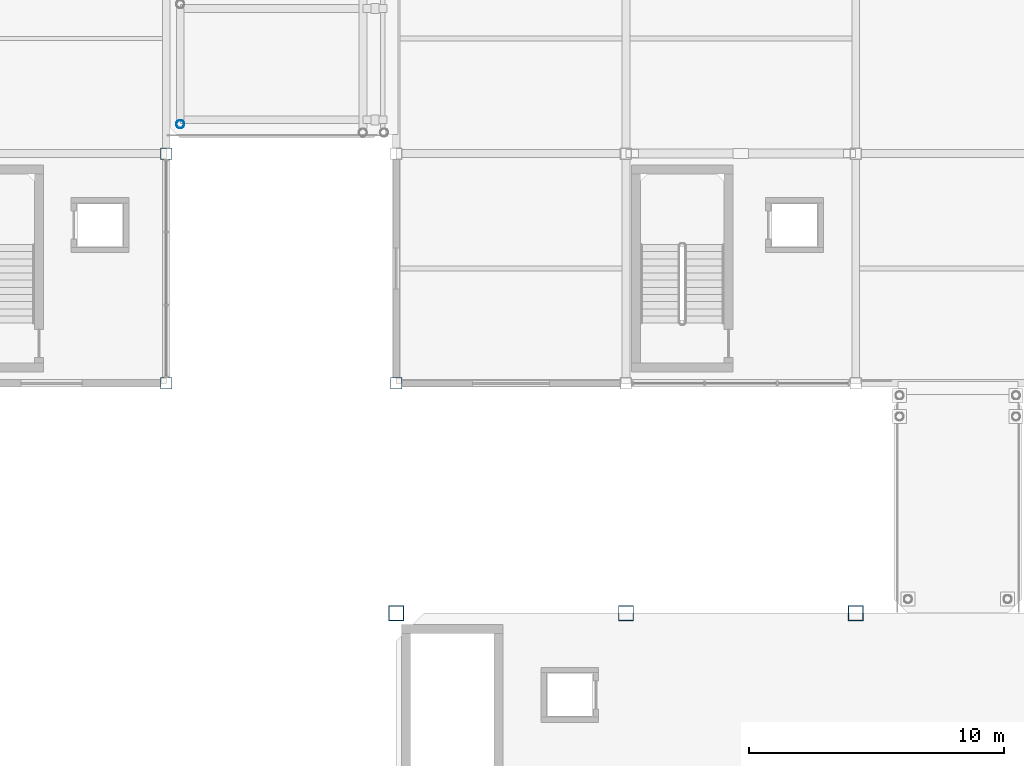
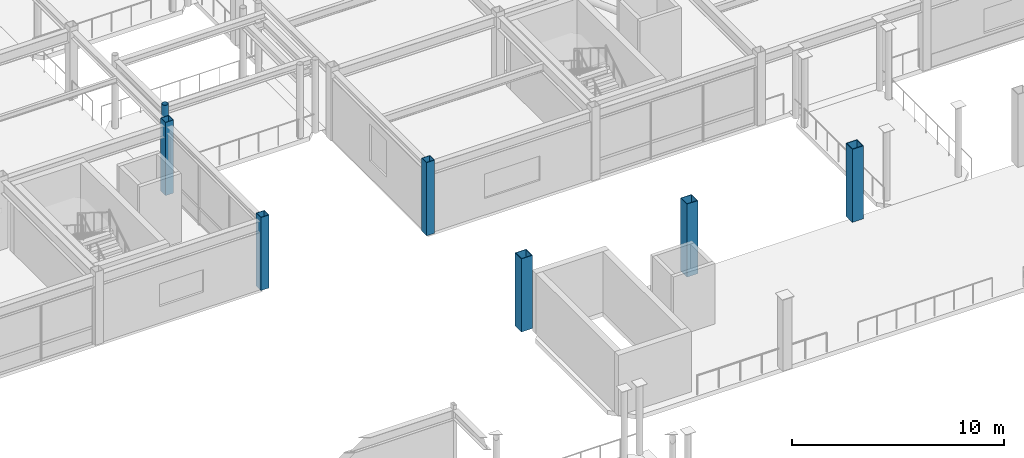
# One storey, part 8 of 105: 7 columns.
"""IFC4 building model written with IfcOpenShell, lengths in metres."""

from ifc_helpers import new_model, si_unit, direction, frame, origin, origin_2d, place, context, subcontext, project, spatial, hollow_rectangle, hollow_circle, extrude, material, material_profile, profile_set, type_object, element, save


model = new_model("IFC4")

# Units and contexts
model_context = context("Model", 3, precision=1e-05, world=origin(), true_north=direction((0.0, 1.0)))
body_context = subcontext(model_context, "Body", "Model", "MODEL_VIEW")
ifc_project = project(units=[si_unit("LENGTHUNIT", "METRE"), si_unit("AREAUNIT", "SQUARE_METRE"), si_unit("VOLUMEUNIT", "CUBIC_METRE"), si_unit("PLANEANGLEUNIT", "RADIAN"), si_unit("MASSUNIT", "GRAM", prefix="KILO")], contexts=[model_context])

# Site, building, storey
site_placement = place(None, origin())
site = spatial("IfcSite", under=ifc_project, at=site_placement, CompositionType="ELEMENT")
building_placement = place(site_placement, origin())
building = spatial("IfcBuilding", under=site, at=building_placement, Name="Suzunagisa Mobility Hub", CompositionType="ELEMENT")
storey_placement = place(building_placement, frame((0.0, 0.0, 5.10009765625)))
storey = spatial("IfcBuildingStorey", under=building, at=storey_placement, Name="L01", CompositionType="ELEMENT", Elevation=5.10009765625)

# Columns
ifc_material = material(Name="Steel SN490B", Category="steel")
ifc_material_profile_1 = material_profile(ifc_material, hollow_rectangle(XDim=0.60009765625, YDim=0.60009765625, WallThickness=0.031982421875, at=origin_2d()), Name="BOX-600x600x32")
ifc_profile_set_1 = profile_set([ifc_material_profile_1], Name="Steel SN490B")
column_type_1 = type_object("IfcColumnType", Name="Steel Column CL-05 BOX-600x600x32", PredefinedType="COLUMN", material=ifc_profile_set_1)
for number, where, z_axis, x_axis, name in (
    (1, (45.0, 71.0, 0.0), (0.0, 0.0, 1.0), (1.0, 0.0, 0.0), "L01 Column 117"),
    (2, (54.0, 71.0, 0.0), (0.0, 0.0, 1.0), (1.0, 0.0, 0.0), "L01 Column 128"),
    (3, (63.0, 71.0, 0.0), (0.0, 0.0, 1.0), (1.0, 0.0, 0.0), "L01 Column 137"),
):
    element("IfcColumn", number, at=place(storey_placement, frame(where, z_axis=z_axis, x_axis=x_axis)), inside=storey, type_object=column_type_1, Name=name, PredefinedType="COLUMN", context=body_context, shape_type="SweptSolid", body=[
        extrude(hollow_rectangle(XDim=0.60009765625, YDim=0.60009765625, WallThickness=0.031982421875, at=origin_2d()), origin(), (0.0, 0.0, 1.0), 4.199951171875),
    ])
ifc_material_profile_2 = material_profile(ifc_material, hollow_circle(Radius=0.1591796875, WallThickness=0.01025390625, at=origin_2d()), Name="CHS-318.5x10.3")
ifc_profile_set_2 = profile_set([ifc_material_profile_2], Name="Steel SN490B")
column_type_2 = type_object("IfcColumnType", Name="Steel Column CL-09 CHS-318.5x10.3", PredefinedType="COLUMN", material=ifc_profile_set_2)
column_placement = place(storey_placement, frame((36.550048828125, 90.14990234375, 0.0), z_axis=(0.0, 0.0, 1.0), x_axis=(1.0, 0.0, 0.0)))
element("IfcColumn", 4, at=column_placement, inside=storey, type_object=column_type_2, Name="L01 Column 92", PredefinedType="COLUMN", context=body_context, shape_type="SweptSolid", body=[
    extrude(hollow_circle(Radius=0.1591796875, WallThickness=0.01025390625, at=origin_2d()), origin(), (0.0, 0.0, 1.0), 4.199951171875),
])
ifc_material_profile_3 = material_profile(ifc_material, hollow_rectangle(XDim=0.449951171875, YDim=0.449951171875, WallThickness=0.02197265625, at=origin_2d()), Name="BCR-450x450x22")
ifc_profile_set_3 = profile_set([ifc_material_profile_3], Name="Steel SN490B")
column_type_3 = type_object("IfcColumnType", Name="Steel Column CL-17 BCR-450x450x22", PredefinedType="COLUMN", material=ifc_profile_set_3)
for number, where, z_axis, x_axis, name in (
    (5, (36.0, 80.0, 0.0), (0.0, 0.0, 1.0), (1.0, 0.0, 0.0), "L01 Column 85"),
    (6, (36.0, 89.0, 0.0), (0.0, 0.0, 1.0), (1.0, 0.0, 0.0), "L01 Column 86"),
    (7, (45.0, 80.0, 0.0), (0.0, 0.0, 1.0), (1.0, 0.0, 0.0), "L01 Column 118"),
):
    element("IfcColumn", number, at=place(storey_placement, frame(where, z_axis=z_axis, x_axis=x_axis)), inside=storey, type_object=column_type_3, Name=name, PredefinedType="COLUMN", context=body_context, shape_type="SweptSolid", body=[
        extrude(hollow_rectangle(XDim=0.449951171875, YDim=0.449951171875, WallThickness=0.02197265625, at=origin_2d()), origin(), (0.0, 0.0, 1.0), 4.199951171875),
    ])

save(model, "model.ifc")
